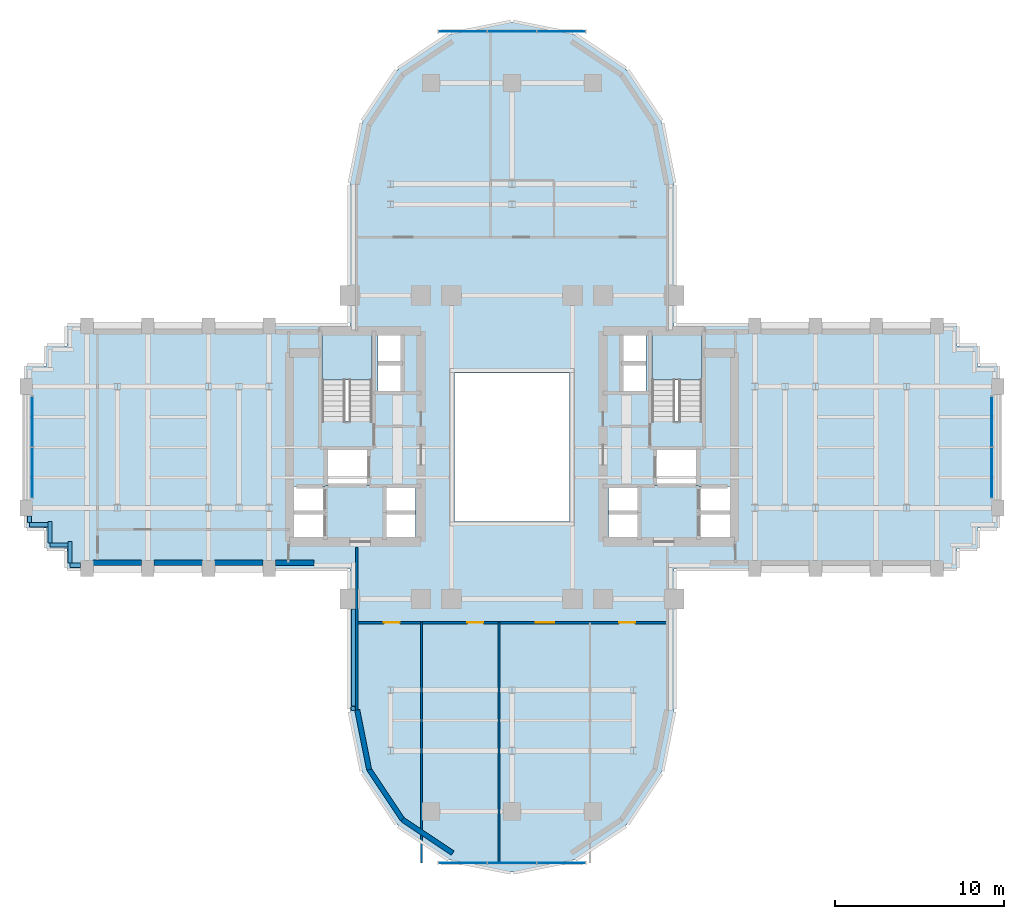
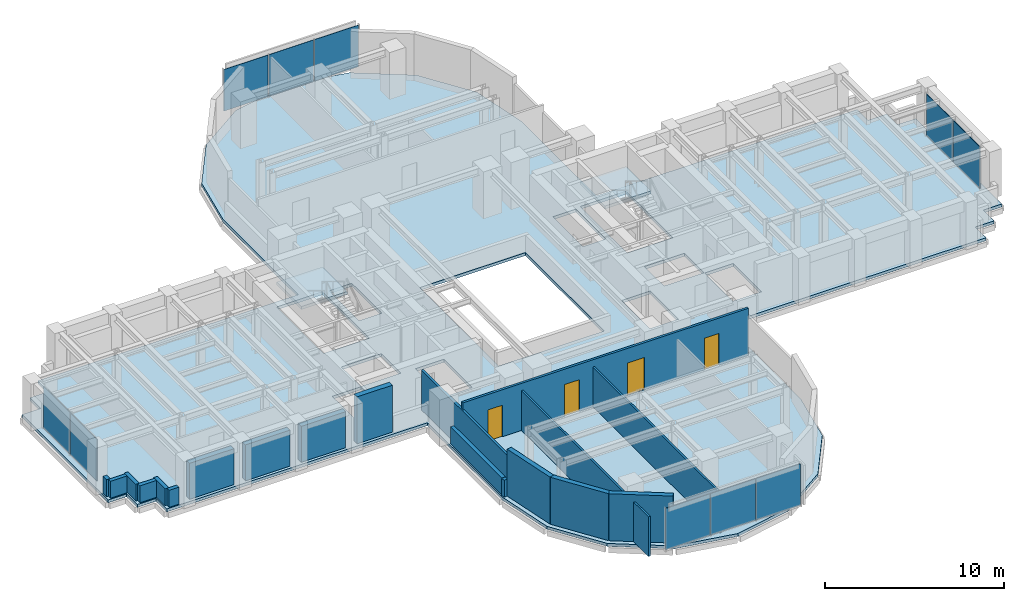
# One storey, part 9 of 16: 19 walls, 10 plates, 4 doors, 3 slabs, 4 openings, 6 elements without a shape of their own.
"""IFC4 building model written with IfcOpenShell, lengths in metres."""

from ifc_helpers import new_model, si_unit, direction, frame, frame_2d, origin, origin_2d, place, context, subcontext, project, spatial, polyline, rectangle, outline, extrude, source, transform, mapped, material, layer, layer_set, type_object, element, fill, aggregate, save


model = new_model("IFC4")

# Units and contexts
model_context = context("Model", 3, precision=1e-05, world=origin(), true_north=direction((0.0, 1.0)))
body_context = subcontext(model_context, "Body", "Model", "MODEL_VIEW")
ifc_project = project(units=[si_unit("LENGTHUNIT", "METRE"), si_unit("AREAUNIT", "SQUARE_METRE"), si_unit("VOLUMEUNIT", "CUBIC_METRE"), si_unit("PLANEANGLEUNIT", "RADIAN"), si_unit("MASSUNIT", "GRAM", prefix="KILO")], contexts=[model_context])

# Site, building, storey
site_placement = place(None, origin())
site = spatial("IfcSite", under=ifc_project, at=site_placement, CompositionType="ELEMENT")
building_placement = place(site_placement, origin())
building = spatial("IfcBuilding", under=site, at=building_placement, Name="Keilestroom Media Tower", CompositionType="ELEMENT")
storey_placement = place(building_placement, frame((0.0, 0.0, 74.800048828125)))
storey = spatial("IfcBuildingStorey", under=building, at=storey_placement, Name="L19", CompositionType="ELEMENT", Elevation=74.800048828125)

# Slab
ifc_material_1 = material(Name="Concrete C50/60", Category="concrete")
ifc_layer_1 = layer(ifc_material_1, 0.199951171875)
ifc_layer_set_1 = layer_set([ifc_layer_1], Name="Concrete C50/60")
slab_type_1 = type_object("IfcSlabType", Name="Composite-Floor-Slab-200", PredefinedType="FLOOR", material=ifc_layer_set_1)
slab_1_placement = place(storey_placement, frame((0.0, 0.0, -0.199951171875)))
element("IfcSlab", 1, at=slab_1_placement, inside=storey, type_object=slab_type_1, Name="L19 Structural Composite Floor Slab", PredefinedType="FLOOR", context=body_context, shape_type="SweptSolid", body=[
    extrude(outline(polyline([(28.800048828125, -4.800048828125), (28.800048828125, 4.800048828125), (27.60009765625, 4.800048828125), (27.60009765625, 6.0), (26.39990234375, 6.0), (26.39990234375, 7.199951171875), (9.60009765625, 7.199951171875), (9.60009765625, 9.60009765625), (9.60009765625, 15.60009765625), (8.869140625, 19.273681640625), (6.7880859375, 22.38818359375), (3.673828125, 24.46923828125), (0.0, 25.199951171875), (-3.673828125, 24.46923828125), (-6.7880859375, 22.38818359375), (-8.869140625, 19.273681640625), (-9.60009765625, 15.60009765625), (-9.60009765625, 9.60009765625), (-9.60009765625, 7.199951171875), (-26.39990234375, 7.199951171875), (-26.39990234375, 6.0), (-27.60009765625, 6.0), (-27.60009765625, 4.800048828125), (-28.800048828125, 4.800048828125), (-28.800048828125, -4.800048828125), (-27.60009765625, -4.800048828125), (-27.60009765625, -6.0), (-26.39990234375, -6.0), (-26.39990234375, -7.199951171875), (-9.60009765625, -7.199951171875), (-9.60009765625, -9.60009765625), (-9.60009765625, -15.60009765625), (-8.869140625, -19.273681640625), (-6.7880859375, -22.38818359375), (-3.673828125, -24.46923828125), (0.0, -25.199951171875), (3.673828125, -24.46923828125), (6.7880859375, -22.38818359375), (8.869140625, -19.273681640625), (9.60009765625, -15.60009765625), (9.60009765625, -9.60009765625), (9.60009765625, -7.199951171875), (26.39990234375, -7.199951171875), (26.39990234375, -6.0), (27.60009765625, -6.0), (27.60009765625, -4.800048828125), (28.800048828125, -4.800048828125)]), holes=[polyline([(-12.919921875, -5.47998046875), (-12.919921875, -2.320068359375), (-11.080078125, -2.320068359375), (-11.080078125, -5.47998046875), (-12.919921875, -5.47998046875)]), polyline([(-11.260009765625, 1.544921875), (-11.260009765625, 6.760009765625), (-8.300048828125, 6.760009765625), (-8.300048828125, 1.544921875), (-11.260009765625, 1.544921875)]), polyline([(-11.050048828125, -2.280029296875), (-11.050048828125, -0.10009765625), (-8.47998046875, -0.10009765625), (-8.47998046875, -2.280029296875), (-11.050048828125, -2.280029296875)]), polyline([(-7.949951171875, 3.300048828125), (-7.949951171875, 6.64990234375), (-6.47998046875, 6.64990234375), (-6.47998046875, 3.300048828125), (-7.949951171875, 3.300048828125)]), polyline([(-7.56005859375, -5.47998046875), (-7.56005859375, -2.320068359375), (-5.719970703125, -2.320068359375), (-5.719970703125, -5.47998046875), (-7.56005859375, -5.47998046875)]), polyline([(-3.39990234375, -4.39990234375), (-3.39990234375, 4.39990234375), (3.39990234375, 4.39990234375), (3.39990234375, -4.39990234375), (-3.39990234375, -4.39990234375)]), polyline([(5.719970703125, -5.47998046875), (5.719970703125, -2.320068359375), (7.56005859375, -2.320068359375), (7.56005859375, -5.47998046875), (5.719970703125, -5.47998046875)]), polyline([(7.949951171875, 6.64990234375), (7.949951171875, 3.300048828125), (6.47998046875, 3.300048828125), (6.47998046875, 6.64990234375), (7.949951171875, 6.64990234375)]), polyline([(8.300048828125, 6.760009765625), (11.260009765625, 6.760009765625), (11.260009765625, 1.544921875), (8.300048828125, 1.544921875), (8.300048828125, 6.760009765625)]), polyline([(8.47998046875, -2.280029296875), (8.47998046875, -0.10009765625), (11.050048828125, -0.10009765625), (11.050048828125, -2.280029296875), (8.47998046875, -2.280029296875)]), polyline([(12.919921875, -5.47998046875), (11.080078125, -5.47998046875), (11.080078125, -2.320068359375), (12.919921875, -2.320068359375), (12.919921875, -5.47998046875)])]), origin(), (0.0, 0.0, 1.0), 0.199951171875),
])

# Stair, slab
ifc_material_2 = material(Name="Concrete C45/55", Category="concrete")
stair_type = type_object("IfcStairType", Name="Enclosed-Dog-Leg-Stair-ST-CORE", PredefinedType="HALF_TURN_STAIR", material=ifc_material_2)
stair_1_placement = place(storey_placement, origin())
stair_1 = element("IfcStair", 2, at=stair_1_placement, inside=storey, type_object=stair_type, Name="L19 West Core Escape Stair ST-1", PredefinedType="HALF_TURN_STAIR")
ifc_layer_2 = layer(ifc_material_2, 0.199951171875)
ifc_layer_set_2 = layer_set([ifc_layer_2], Name="Concrete C45/55")
slab_type_2 = type_object("IfcSlabType", Name="Stair-Intermediate-And-Top-Landing-Slab-200", PredefinedType="LANDING", material=ifc_layer_set_2)
slab_2_placement = place(storey_placement, frame((0.0, 0.0, 1.5)))
slab_2 = element("IfcSlab", 3, at=slab_2_placement, type_object=slab_type_2, Name="ST-1 landing 1", PredefinedType="LANDING", context=body_context, shape_type="SweptSolid", body=[
    extrude(outline(polyline([(-8.300048828125, 3.99609375), (-8.300048828125, 6.760009765625), (-11.260009765625, 6.760009765625), (-11.260009765625, 3.99609375), (-8.300048828125, 3.99609375)])), origin(), (0.0, 0.0, 1.0), 0.199951171875),
])
aggregate(stair_1, [slab_2])

stair_2_placement = place(storey_placement, origin())
stair_2 = element("IfcStair", 4, at=stair_2_placement, inside=storey, type_object=stair_type, Name="L19 East Core Escape Stair ST-2", PredefinedType="HALF_TURN_STAIR")
slab_3_placement = place(storey_placement, frame((0.0, 0.0, 1.5)))
slab_3 = element("IfcSlab", 5, at=slab_3_placement, type_object=slab_type_2, Name="ST-2 landing 1", PredefinedType="LANDING", context=body_context, shape_type="SweptSolid", body=[
    extrude(outline(polyline([(11.260009765625, 3.99609375), (11.260009765625, 6.760009765625), (8.300048828125, 6.760009765625), (8.300048828125, 3.99609375), (11.260009765625, 3.99609375)])), origin(), (0.0, 0.0, 1.0), 0.199951171875),
])
aggregate(stair_2, [slab_3])

# Curtain wall, plates
ifc_material_3 = material(Name="Anodised Aluminium Alloy", Category="aluminium")
curtain_wall_type_1 = type_object("IfcCurtainWallType", Name="Unitised-Curtain-Wall-CW-1", PredefinedType="NOTDEFINED", material=ifc_material_3)
curtain_wall_1_placement = place(storey_placement, origin())
curtain_wall_1 = element("IfcCurtainWall", 6, at=curtain_wall_1_placement, inside=storey, type_object=curtain_wall_type_1, Name="L19 Curtain Wall CW-1 CW-L19-W-1", PredefinedType="NOTDEFINED")
ifc_material_4 = material(Name="Double Glazed Low-E Unit", Category="glass")
ifc_layer_3 = layer(ifc_material_4, 0.0439453125)
ifc_layer_set_3 = layer_set([ifc_layer_3], Name="Double Glazed Low-E Unit")
plate_type_1 = type_object("IfcPlateType", Name="Insulated-Curtain-Wall-Glazing-Panel-CW-1", PredefinedType="CURTAIN_PANEL", material=ifc_layer_set_3)
shared_shape_1 = source(origin(), body_context, "Body", "SweptSolid", [
    extrude(rectangle(XDim=2.968017578125, YDim=0.0439453125, at=origin_2d()), origin(), (0.0, 0.0, 1.0), 2.833984375),
])
plate_1_placement = place(storey_placement, frame((-28.449951171875, -1.514892578125, 0.072998046875), z_axis=(0.0, 0.0, 1.0), x_axis=(0.0, 1.0, 0.0)))
plate_1 = element("IfcPlate", 7, at=plate_1_placement, type_object=plate_type_1, Name="CW-1 Unitised Glazing 00", PredefinedType="CURTAIN_PANEL", context=body_context, shape_type="MappedRepresentation", body=[
    mapped(shared_shape_1, transform((0.0, 0.0, 0.0), x_axis=(1.0, 0.0, 0.0), y_axis=(0.0, 1.0, 0.0), z_axis=(0.0, 0.0, 1.0), scale=1.0)),
])
plate_2_placement = place(storey_placement, frame((-28.449951171875, 1.514892578125, 0.072998046875), z_axis=(0.0, 0.0, 1.0), x_axis=(0.0, 1.0, 0.0)))
plate_2 = element("IfcPlate", 8, at=plate_2_placement, type_object=plate_type_1, Name="CW-1 Unitised Glazing 01", PredefinedType="CURTAIN_PANEL", context=body_context, shape_type="MappedRepresentation", body=[
    mapped(shared_shape_1, transform((0.0, 0.0, 0.0), x_axis=(1.0, 0.0, 0.0), y_axis=(0.0, 1.0, 0.0), z_axis=(0.0, 0.0, 1.0), scale=1.0)),
])
aggregate(curtain_wall_1, [plate_1, plate_2])

curtain_wall_2_placement = place(storey_placement, origin())
curtain_wall_2 = element("IfcCurtainWall", 9, at=curtain_wall_2_placement, inside=storey, type_object=curtain_wall_type_1, Name="L19 Curtain Wall CW-1 CW-L19-E-1", PredefinedType="NOTDEFINED")
plate_3_placement = place(storey_placement, frame((28.449951171875, -1.514892578125, 0.072998046875), z_axis=(0.0, 0.0, 1.0), x_axis=(0.0, 1.0, 0.0)))
plate_3 = element("IfcPlate", 10, at=plate_3_placement, type_object=plate_type_1, Name="CW-1 Unitised Glazing 00", PredefinedType="CURTAIN_PANEL", context=body_context, shape_type="MappedRepresentation", body=[
    mapped(shared_shape_1, transform((0.0, 0.0, 0.0), x_axis=(1.0, 0.0, 0.0), y_axis=(0.0, 1.0, 0.0), z_axis=(0.0, 0.0, 1.0), scale=1.0)),
])
plate_4_placement = place(storey_placement, frame((28.449951171875, 1.514892578125, 0.072998046875), z_axis=(0.0, 0.0, 1.0), x_axis=(0.0, 1.0, 0.0)))
plate_4 = element("IfcPlate", 11, at=plate_4_placement, type_object=plate_type_1, Name="CW-1 Unitised Glazing 01", PredefinedType="CURTAIN_PANEL", context=body_context, shape_type="MappedRepresentation", body=[
    mapped(shared_shape_1, transform((0.0, 0.0, 0.0), x_axis=(1.0, 0.0, 0.0), y_axis=(0.0, 1.0, 0.0), z_axis=(0.0, 0.0, 1.0), scale=1.0)),
])
aggregate(curtain_wall_2, [plate_3, plate_4])

curtain_wall_type_2 = type_object("IfcCurtainWallType", Name="Unitised-Curtain-Wall-CW-6", PredefinedType="NOTDEFINED", material=ifc_material_3)
curtain_wall_3_placement = place(storey_placement, origin())
curtain_wall_3 = element("IfcCurtainWall", 12, at=curtain_wall_3_placement, inside=storey, type_object=curtain_wall_type_2, Name="L19 Curtain Wall CW-6 CW-L19-LN-1", PredefinedType="NOTDEFINED")
ifc_material_5 = material(Name="Curved-Facet Triple Glazed Unit", Category="glass")
ifc_layer_4 = layer(ifc_material_5, 0.033935546875)
ifc_layer_set_4 = layer_set([ifc_layer_4], Name="Curved-Facet Triple Glazed Unit")
plate_type_2 = type_object("IfcPlateType", Name="Insulated-Curtain-Wall-Glazing-Panel-CW-6", PredefinedType="CURTAIN_PANEL", material=ifc_layer_set_4)
shared_shape_2 = source(origin(), body_context, "Body", "SweptSolid", [
    extrude(rectangle(XDim=2.84375, YDim=0.033935546875, at=origin_2d()), origin(), (0.0, 0.0, 1.0), 2.833984375),
])
plate_5_placement = place(storey_placement, frame((-2.9169921875, 24.64990234375, 0.072998046875), z_axis=(0.0, 0.0, 1.0), x_axis=(1.0, 0.0, 0.0)))
plate_5 = element("IfcPlate", 13, at=plate_5_placement, type_object=plate_type_2, Name="CW-6 Unitised Glazing 00", PredefinedType="CURTAIN_PANEL", context=body_context, shape_type="MappedRepresentation", body=[
    mapped(shared_shape_2, transform((0.0, 0.0, 0.0), x_axis=(1.0, 0.0, 0.0), y_axis=(0.0, 1.0, 0.0), z_axis=(0.0, 0.0, 1.0), scale=1.0)),
])
plate_6_placement = place(storey_placement, frame((2.9169921875, 24.64990234375, 0.072998046875), z_axis=(0.0, 0.0, 1.0), x_axis=(1.0, 0.0, 0.0)))
plate_6 = element("IfcPlate", 14, at=plate_6_placement, type_object=plate_type_2, Name="CW-6 Unitised Glazing 02", PredefinedType="CURTAIN_PANEL", context=body_context, shape_type="MappedRepresentation", body=[
    mapped(shared_shape_2, transform((0.0, 0.0, 0.0), x_axis=(1.0, 0.0, 0.0), y_axis=(0.0, 1.0, 0.0), z_axis=(0.0, 0.0, 1.0), scale=1.0)),
])

curtain_wall_4_placement = place(storey_placement, origin())
curtain_wall_4 = element("IfcCurtainWall", 15, at=curtain_wall_4_placement, inside=storey, type_object=curtain_wall_type_2, Name="L19 Curtain Wall CW-6 CW-L19-LS-1", PredefinedType="NOTDEFINED")
plate_7_placement = place(storey_placement, frame((-2.9169921875, -24.64990234375, 0.072998046875), z_axis=(0.0, 0.0, 1.0), x_axis=(1.0, 0.0, 0.0)))
plate_7 = element("IfcPlate", 16, at=plate_7_placement, type_object=plate_type_2, Name="CW-6 Unitised Glazing 00", PredefinedType="CURTAIN_PANEL", context=body_context, shape_type="MappedRepresentation", body=[
    mapped(shared_shape_2, transform((0.0, 0.0, 0.0), x_axis=(1.0, 0.0, 0.0), y_axis=(0.0, 1.0, 0.0), z_axis=(0.0, 0.0, 1.0), scale=1.0)),
])
plate_8_placement = place(storey_placement, frame((2.9169921875, -24.64990234375, 0.072998046875), z_axis=(0.0, 0.0, 1.0), x_axis=(1.0, 0.0, 0.0)))
plate_8 = element("IfcPlate", 17, at=plate_8_placement, type_object=plate_type_2, Name="CW-6 Unitised Glazing 02", PredefinedType="CURTAIN_PANEL", context=body_context, shape_type="MappedRepresentation", body=[
    mapped(shared_shape_2, transform((0.0, 0.0, 0.0), x_axis=(1.0, 0.0, 0.0), y_axis=(0.0, 1.0, 0.0), z_axis=(0.0, 0.0, 1.0), scale=1.0)),
])

# Plate
shared_shape_3 = source(origin(), body_context, "Body", "SweptSolid", [
    extrude(rectangle(XDim=2.876220703125, YDim=0.033935546875, at=origin_2d()), origin(), (0.0, 0.0, 1.0), 2.833984375),
])
plate_9_placement = place(storey_placement, frame((0.0, 24.64990234375, 0.072998046875), z_axis=(0.0, 0.0, 1.0), x_axis=(1.0, 0.0, 0.0)))
plate_9 = element("IfcPlate", 18, at=plate_9_placement, type_object=plate_type_2, Name="CW-6 Unitised Glazing 01", PredefinedType="CURTAIN_PANEL", context=body_context, shape_type="MappedRepresentation", body=[
    mapped(shared_shape_3, transform((0.0, 0.0, 0.0), x_axis=(1.0, 0.0, 0.0), y_axis=(0.0, 1.0, 0.0), z_axis=(0.0, 0.0, 1.0), scale=1.0)),
])

aggregate(curtain_wall_3, [plate_5, plate_9, plate_6])

plate_10_placement = place(storey_placement, frame((0.0, -24.64990234375, 0.072998046875), z_axis=(0.0, 0.0, 1.0), x_axis=(1.0, 0.0, 0.0)))
plate_10 = element("IfcPlate", 19, at=plate_10_placement, type_object=plate_type_2, Name="CW-6 Unitised Glazing 01", PredefinedType="CURTAIN_PANEL", context=body_context, shape_type="MappedRepresentation", body=[
    mapped(shared_shape_3, transform((0.0, 0.0, 0.0), x_axis=(1.0, 0.0, 0.0), y_axis=(0.0, 1.0, 0.0), z_axis=(0.0, 0.0, 1.0), scale=1.0)),
])

aggregate(curtain_wall_4, [plate_7, plate_10, plate_8])

# Walls
ifc_material_6 = material(Name="Precast concrete C40/50", Category="concrete")
ifc_layer_5 = layer(ifc_material_6, 0.300048828125)
ifc_layer_set_5 = layer_set([ifc_layer_5], Name="Precast concrete C40/50")
wall_type_1 = type_object("IfcWallType", Name="Exterior-Masonry-Spandrel-Wall-300", PredefinedType="SOLIDWALL", material=ifc_layer_set_5)
for number, where, z_axis, x_axis, name in (
    (20, (-9.1748046875, -15.585205078125, 0.0), (0.0, 0.0, 1.0), (0.195114232679, -0.980780523974, 0.0), "L19 Lobe Facet Precast Frame Wall 07"),
    (21, (-8.48193359375, -19.097412109375, 0.0), (0.0, 0.0, 1.0), (0.555574187116, -0.831466970246, 0.0), "L19 Lobe Facet Precast Frame Wall 08"),
):
    element("IfcWall", number, at=place(storey_placement, frame(where, z_axis=z_axis, x_axis=x_axis)), inside=storey, type_object=wall_type_1, Name=name, PredefinedType="SOLIDWALL", context=body_context, shape_type="SweptSolid", body=[
        extrude(rectangle(XDim=3.608642578125, YDim=0.300048828125, at=frame_2d((1.80419921875, 0.0))), origin(), (0.0, 0.0, 1.0), 3.199951171875),
    ])
wall_1_placement = place(storey_placement, frame((-6.497802734375, -22.0771484375, 0.0), z_axis=(0.0, 0.0, 1.0), x_axis=(0.8314749531, -0.555562239868, 0.0)))
element("IfcWall", 22, at=wall_1_placement, inside=storey, type_object=wall_type_1, Name="L19 Lobe Facet Precast Frame Wall 09", PredefinedType="SOLIDWALL", context=body_context, shape_type="SweptSolid", body=[
    extrude(rectangle(XDim=3.59326171875, YDim=0.300048828125, at=frame_2d((1.796630859375, 0.0))), origin(), (0.0, 0.0, 1.0), 3.199951171875),
])
ifc_layer_6 = layer(ifc_material_6, 0.340087890625)
ifc_layer_set_6 = layer_set([ifc_layer_6], Name="Precast concrete C40/50")
wall_type_2 = type_object("IfcWallType", Name="Exterior-Masonry-Spandrel-Wall-340", PredefinedType="SOLIDWALL", material=ifc_layer_set_6)
for number, where, z_axis, x_axis, name in (
    (23, (-24.8330078125, -6.85009765625, 0.0), (0.0, 0.0, 1.0), (1.0, 0.0, 0.0), "L19 Flank Masonry Wall EWL-L19-SW-1"),
    (24, (-21.23291015625, -6.85009765625, 0.0), (0.0, 0.0, 1.0), (1.0, 0.0, 0.0), "L19 Flank Masonry Wall EWL-L19-SW-2"),
    (25, (-17.633056640625, -6.85009765625, 0.0), (0.0, 0.0, 1.0), (1.0, 0.0, 0.0), "L19 Flank Masonry Wall EWL-L19-SW-3"),
):
    element("IfcWall", number, at=place(storey_placement, frame(where, z_axis=z_axis, x_axis=x_axis)), inside=storey, type_object=wall_type_2, Name=name, PredefinedType="SOLIDWALL", context=body_context, shape_type="SweptSolid", body=[
        extrude(rectangle(XDim=2.865966796875, YDim=0.340087890625, at=frame_2d((1.43310546875, 0.0))), origin(), (0.0, 0.0, 1.0), 2.449951171875),
    ])
wall_2_placement = place(storey_placement, frame((-14.032958984375, -6.85009765625, 0.0), z_axis=(0.0, 0.0, 1.0), x_axis=(1.0, 0.0, 0.0)))
element("IfcWall", 26, at=wall_2_placement, inside=storey, type_object=wall_type_2, Name="L19 Flank Masonry Wall EWL-L19-SW-4", PredefinedType="SOLIDWALL", context=body_context, shape_type="SweptSolid", body=[
    extrude(rectangle(XDim=2.282958984375, YDim=0.340087890625, at=frame_2d((1.1416015625, 0.0))), origin(), (0.0, 0.0, 1.0), 3.199951171875),
])
ifc_material_7 = material(Name="Gypsum Plasterboard & Steel Stud", Category="steel")
ifc_layer_7 = layer(ifc_material_7, 0.1201171875)
ifc_layer_set_7 = layer_set([ifc_layer_7], Name="Gypsum Plasterboard & Steel Stud")
wall_type_3 = type_object("IfcWallType", Name="Interior-Partition-Wall-120", PredefinedType="PARTITIONING", material=ifc_layer_set_7)
for number, where, z_axis, x_axis, name in (
    (27, (-5.3798828125, -24.64990234375, 0.0), (0.0, 0.0, 1.0), (0.0, 1.0, 0.0), "L19 Interior Wall WP-L19-SL-QV1"),
    (28, (-0.780029296875, -24.64990234375, 0.0), (0.0, 0.0, 1.0), (0.0, 1.0, 0.0), "L19 Interior Wall WP-L19-SL-QV2"),
):
    element("IfcWall", number, at=place(storey_placement, frame(where, z_axis=z_axis, x_axis=x_axis)), inside=storey, type_object=wall_type_3, Name=name, PredefinedType="PARTITIONING", context=body_context, shape_type="SweptSolid", body=[
        extrude(rectangle(XDim=14.25, YDim=0.1201171875, at=frame_2d((7.125, 0.0))), origin(), (0.0, 0.0, 1.0), 2.7099609375),
    ])

# Wall, openings, doors
ifc_layer_8 = layer(ifc_material_7, 0.14990234375)
ifc_layer_set_8 = layer_set([ifc_layer_8], Name="Gypsum Plasterboard & Steel Stud")
wall_type_4 = type_object("IfcWallType", Name="Interior-Partition-Wall-150", PredefinedType="PARTITIONING", material=ifc_layer_set_8)
wall_3_placement = place(storey_placement, frame((-9.199951171875, -10.39990234375, 0.0), z_axis=(0.0, 0.0, 1.0), x_axis=(1.0, 0.0, 0.0)))
wall_3 = element("IfcWall", 29, at=wall_3_placement, inside=storey, type_object=wall_type_4, Name="L19 Interior Wall WP-L19-SL-BASE", PredefinedType="PARTITIONING", context=body_context, shape_type="SweptSolid", body=[
    extrude(rectangle(XDim=18.39990234375, YDim=0.14990234375, at=frame_2d((9.199951171875, 0.0))), origin(), (0.0, 0.0, 1.0), 3.199951171875),
])
opening_1_placement = place(wall_3_placement, frame((1.60009765625, 0.0, 0.0)))
opening_1 = element("IfcOpeningElement", 30, at=opening_1_placement, cuts=wall_3, Name="Opening DI-03", PredefinedType="OPENING", context=body_context, shape_type="SweptSolid", body=[
    extrude(rectangle(XDim=0.949951171875, YDim=2.14990234375, at=frame_2d((0.47509765625, 1.074951171875))), frame((0.0, 0.0849609375, 0.0), z_axis=(0.0, -1.0, 0.0), x_axis=(1.0, 0.0, 0.0)), (0.0, 0.0, 1.0), 0.169921875),
])
opening_2_placement = place(wall_3_placement, frame((6.550048828125, 0.0, 0.0)))
opening_2 = element("IfcOpeningElement", 31, at=opening_2_placement, cuts=wall_3, Name="Opening DI-03", PredefinedType="OPENING", context=body_context, shape_type="SweptSolid", body=[
    extrude(rectangle(XDim=0.949951171875, YDim=2.14990234375, at=frame_2d((0.47509765625, 1.074951171875))), frame((0.0, 0.0849609375, 0.0), z_axis=(0.0, -1.0, 0.0), x_axis=(1.0, 0.0, 0.0)), (0.0, 0.0, 1.0), 0.169921875),
])
opening_3_placement = place(wall_3_placement, frame((10.60009765625, 0.0, 0.0)))
opening_3 = element("IfcOpeningElement", 32, at=opening_3_placement, cuts=wall_3, Name="Opening DI-04", PredefinedType="OPENING", context=body_context, shape_type="SweptSolid", body=[
    extrude(rectangle(XDim=1.10009765625, YDim=2.199951171875, at=frame_2d((0.550048828125, 1.10009765625))), frame((0.0, 0.0849609375, 0.0), z_axis=(0.0, -1.0, 0.0), x_axis=(1.0, 0.0, 0.0)), (0.0, 0.0, 1.0), 0.169921875),
])
opening_4_placement = place(wall_3_placement, frame((15.550048828125, 0.0, 0.0)))
opening_4 = element("IfcOpeningElement", 33, at=opening_4_placement, cuts=wall_3, Name="Opening DI-03", PredefinedType="OPENING", context=body_context, shape_type="SweptSolid", body=[
    extrude(rectangle(XDim=0.949951171875, YDim=2.14990234375, at=frame_2d((0.47509765625, 1.074951171875))), frame((0.0, 0.0849609375, 0.0), z_axis=(0.0, -1.0, 0.0), x_axis=(1.0, 0.0, 0.0)), (0.0, 0.0, 1.0), 0.169921875),
])
ifc_material_8 = material(Name="Lacquered European Oak Leaf", Category="wood")
door_type_1 = type_object("IfcDoorType", Name="Interior-Room-And-Suite-Door-DI-03", OperationType="NOTDEFINED", PredefinedType="DOOR", material=ifc_material_8)
shared_shape_4 = source(origin(), body_context, "Body", "SweptSolid", [
    extrude(rectangle(XDim=0.949951171875, YDim=2.14990234375, at=frame_2d((0.47509765625, 1.074951171875))), frame((0.0, 0.02490234375, 0.0), z_axis=(0.0, -1.0, 0.0), x_axis=(1.0, 0.0, 0.0)), (0.0, 0.0, 1.0), 0.050048828125),
])
door_1_placement = place(opening_1_placement, origin())
door_1 = element("IfcDoor", 34, at=door_1_placement, inside=storey, type_object=door_type_1, Name="L19 Interior Door DI-L19-DSL-Q1", OperationType="SINGLE_SWING_LEFT", OverallHeight=2.14990234375, OverallWidth=0.949951171875, PredefinedType="DOOR", context=body_context, shape_type="MappedRepresentation", body=[
    mapped(shared_shape_4, transform((0.0, 0.0, 0.0), x_axis=(1.0, 0.0, 0.0), y_axis=(0.0, 1.0, 0.0), z_axis=(0.0, 0.0, 1.0), scale=1.0)),
])
fill(opening_1, door_1)
door_2_placement = place(opening_2_placement, origin())
door_2 = element("IfcDoor", 35, at=door_2_placement, inside=storey, type_object=door_type_1, Name="L19 Interior Door DI-L19-DSL-Q2", OperationType="SINGLE_SWING_RIGHT", OverallHeight=2.14990234375, OverallWidth=0.949951171875, PredefinedType="DOOR", context=body_context, shape_type="MappedRepresentation", body=[
    mapped(shared_shape_4, transform((0.0, 0.0, 0.0), x_axis=(1.0, 0.0, 0.0), y_axis=(0.0, 1.0, 0.0), z_axis=(0.0, 0.0, 1.0), scale=1.0)),
])
fill(opening_2, door_2)
door_3_placement = place(opening_4_placement, origin())
door_3 = element("IfcDoor", 36, at=door_3_placement, inside=storey, type_object=door_type_1, Name="L19 Interior Door DI-L19-DSL-Q4", OperationType="SINGLE_SWING_RIGHT", OverallHeight=2.14990234375, OverallWidth=0.949951171875, PredefinedType="DOOR", context=body_context, shape_type="MappedRepresentation", body=[
    mapped(shared_shape_4, transform((0.0, 0.0, 0.0), x_axis=(1.0, 0.0, 0.0), y_axis=(0.0, 1.0, 0.0), z_axis=(0.0, 0.0, 1.0), scale=1.0)),
])
fill(opening_4, door_3)
ifc_material_9 = material(Name="Acoustic Glazed Aluminium Leaf", Category="aluminium")
door_type_2 = type_object("IfcDoorType", Name="Interior-Room-And-Suite-Door-DI-04", OperationType="NOTDEFINED", PredefinedType="DOOR", material=ifc_material_9)
shared_shape_5 = source(origin(), body_context, "Body", "SweptSolid", [
    extrude(rectangle(XDim=1.10009765625, YDim=2.199951171875, at=frame_2d((0.550048828125, 1.10009765625))), frame((0.0, 0.02490234375, 0.0), z_axis=(0.0, -1.0, 0.0), x_axis=(1.0, 0.0, 0.0)), (0.0, 0.0, 1.0), 0.050048828125),
])
door_4_placement = place(opening_3_placement, origin())
door_4 = element("IfcDoor", 37, at=door_4_placement, inside=storey, type_object=door_type_2, Name="L19 Interior Door DI-L19-DSL-Q3", OperationType="SINGLE_SWING_LEFT", OverallHeight=2.199951171875, OverallWidth=1.10009765625, PredefinedType="DOOR", context=body_context, shape_type="MappedRepresentation", body=[
    mapped(shared_shape_5, transform((0.0, 0.0, 0.0), x_axis=(1.0, 0.0, 0.0), y_axis=(0.0, 1.0, 0.0), z_axis=(0.0, 0.0, 1.0), scale=1.0)),
])
fill(opening_3, door_4)

# Walls
wall_4_placement = place(storey_placement, frame((-9.199951171875, -15.679931640625, 0.0), z_axis=(0.0, 0.0, 1.0), x_axis=(0.0, 1.0, 0.0)))
element("IfcWall", 38, at=wall_4_placement, inside=storey, type_object=wall_type_4, Name="L19 Interior Wall WP-L19-SL-CHKW", PredefinedType="PARTITIONING", context=body_context, shape_type="SweptSolid", body=[
    extrude(rectangle(XDim=9.739990234375, YDim=0.14990234375, at=frame_2d((4.8701171875, 0.0))), origin(), (0.0, 0.0, 1.0), 2.7099609375),
])
ifc_layer_9 = layer(ifc_material_6, 0.239990234375)
ifc_layer_set_9 = layer_set([ifc_layer_9], Name="Precast concrete C40/50")
wall_type_5 = type_object("IfcWallType", Name="Roof-And-Terrace-Parapet-Wall-240", PredefinedType="PARAPET", material=ifc_layer_set_9)
wall_5_placement = place(storey_placement, frame((-9.395263671875, -15.604248046875, 0.0), z_axis=(0.0, 0.0, 1.0), x_axis=(-0.194652052864, 0.980872355771, 0.0)))
element("IfcWall", 39, at=wall_5_placement, inside=storey, type_object=wall_type_5, Name="L19 Perimeter Edge Parapet Wall 09", PredefinedType="PARAPET", context=body_context, shape_type="SweptSolid", body=[
    extrude(rectangle(XDim=0.224609375, YDim=0.239990234375, at=frame_2d((0.1123046875, 0.0))), origin(), (0.0, 0.0, 1.0), 1.14990234375),
])
wall_6_placement = place(storey_placement, frame((-9.39990234375, -15.357666015625, 0.0), z_axis=(0.0, 0.0, 1.0), x_axis=(0.0, 1.0, 0.0)))
element("IfcWall", 40, at=wall_6_placement, inside=storey, type_object=wall_type_5, Name="L19 Perimeter Edge Parapet Wall 10", PredefinedType="PARAPET", context=body_context, shape_type="SweptSolid", body=[
    extrude(rectangle(XDim=5.754638671875, YDim=0.239990234375, at=frame_2d((2.87744140625, 0.0))), origin(), (0.0, 0.0, 1.0), 1.14990234375),
])
wall_7_placement = place(storey_placement, frame((-25.577880859375, -7.0, 0.0), z_axis=(0.0, 0.0, 1.0), x_axis=(-1.0, 0.0, 0.0)))
element("IfcWall", 41, at=wall_7_placement, inside=storey, type_object=wall_type_5, Name="L19 Perimeter Edge Parapet Wall 13", PredefinedType="PARAPET", context=body_context, shape_type="SweptSolid", body=[
    extrude(rectangle(XDim=0.6220703125, YDim=0.239990234375, at=frame_2d((0.31103515625, 0.0))), origin(), (0.0, 0.0, 1.0), 1.14990234375),
])
wall_8_placement = place(storey_placement, frame((-26.199951171875, -6.876953125, 0.0), z_axis=(0.0, 0.0, 1.0), x_axis=(0.0, 1.0, 0.0)))
element("IfcWall", 42, at=wall_8_placement, inside=storey, type_object=wall_type_5, Name="L19 Perimeter Edge Parapet Wall 14", PredefinedType="PARAPET", context=body_context, shape_type="SweptSolid", body=[
    extrude(rectangle(XDim=1.27685546875, YDim=0.239990234375, at=frame_2d((0.638427734375, 0.0))), origin(), (0.0, 0.0, 1.0), 1.14990234375),
])
wall_9_placement = place(storey_placement, frame((-26.322998046875, -5.800048828125, 0.0), z_axis=(0.0, 0.0, 1.0), x_axis=(-1.0, 0.0, 0.0)))
element("IfcWall", 43, at=wall_9_placement, inside=storey, type_object=wall_type_5, Name="L19 Perimeter Edge Parapet Wall 15", PredefinedType="PARAPET", context=body_context, shape_type="SweptSolid", body=[
    extrude(rectangle(XDim=1.076904296875, YDim=0.239990234375, at=frame_2d((0.53857421875, 0.0))), origin(), (0.0, 0.0, 1.0), 1.14990234375),
])
wall_10_placement = place(storey_placement, frame((-27.39990234375, -5.677001953125, 0.0), z_axis=(0.0, 0.0, 1.0), x_axis=(0.0, 1.0, 0.0)))
element("IfcWall", 44, at=wall_10_placement, inside=storey, type_object=wall_type_5, Name="L19 Perimeter Edge Parapet Wall 16", PredefinedType="PARAPET", context=body_context, shape_type="SweptSolid", body=[
    extrude(rectangle(XDim=1.277099609375, YDim=0.239990234375, at=frame_2d((0.638671875, 0.0))), origin(), (0.0, 0.0, 1.0), 1.14990234375),
])
wall_11_placement = place(storey_placement, frame((-27.52294921875, -4.60009765625, 0.0), z_axis=(0.0, 0.0, 1.0), x_axis=(-1.0, 0.0, 0.0)))
element("IfcWall", 45, at=wall_11_placement, inside=storey, type_object=wall_type_5, Name="L19 Perimeter Edge Parapet Wall 17", PredefinedType="PARAPET", context=body_context, shape_type="SweptSolid", body=[
    extrude(rectangle(XDim=1.0771484375, YDim=0.239990234375, at=frame_2d((0.53857421875, 0.0))), origin(), (0.0, 0.0, 1.0), 1.14990234375),
])
wall_12_placement = place(storey_placement, frame((-28.60009765625, -4.47705078125, 0.0), z_axis=(0.0, 0.0, 1.0), x_axis=(0.0, 1.0, 0.0)))
element("IfcWall", 46, at=wall_12_placement, inside=storey, type_object=wall_type_5, Name="L19 Perimeter Edge Parapet Wall 18", PredefinedType="PARAPET", context=body_context, shape_type="SweptSolid", body=[
    extrude(rectangle(XDim=0.399169921875, YDim=0.239990234375, at=frame_2d((0.19970703125, 0.0))), origin(), (0.0, 0.0, 1.0), 1.14990234375),
])

save(model, "model.ifc")
